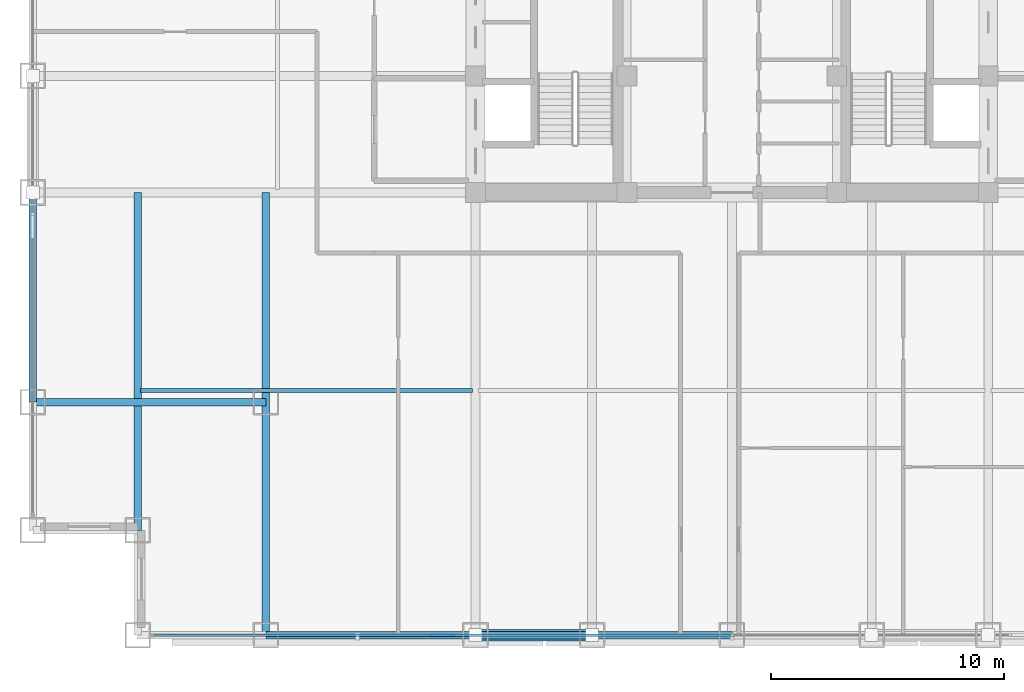
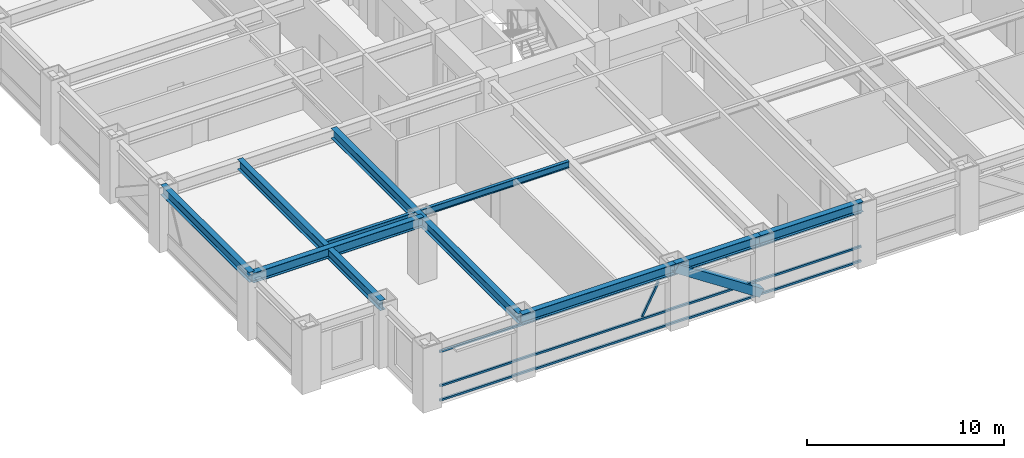
# One storey, part 3 of 28: 8 beams, 5 members, 1 element without a shape of its own.
"""IFC4 building model written with IfcOpenShell, lengths in metres."""

from ifc_helpers import new_model, si_unit, direction, frame, origin, origin_2d, place, context, subcontext, project, spatial, hollow_rectangle, i_section, extrude, source, transform, mapped, material, material_profile, profile_set, type_object, element, aggregate, save


model = new_model("IFC4")

# Units and contexts
model_context = context("Model", 3, precision=1e-05, world=origin(), true_north=direction((0.0, 1.0)))
body_context = subcontext(model_context, "Body", "Model", "MODEL_VIEW")
ifc_project = project(units=[si_unit("LENGTHUNIT", "METRE"), si_unit("AREAUNIT", "SQUARE_METRE"), si_unit("VOLUMEUNIT", "CUBIC_METRE"), si_unit("PLANEANGLEUNIT", "RADIAN"), si_unit("MASSUNIT", "GRAM", prefix="KILO")], contexts=[model_context])

# Site, building, storey
site_placement = place(None, origin())
site = spatial("IfcSite", under=ifc_project, at=site_placement, CompositionType="ELEMENT")
building_placement = place(site_placement, origin())
building = spatial("IfcBuilding", under=site, at=building_placement, Name="Khorayat Bourse Tower", CompositionType="ELEMENT")
storey_placement = place(building_placement, frame((0.0, 0.0, 183.10009765625)))
storey = spatial("IfcBuildingStorey", under=building, at=storey_placement, Name="L42", CompositionType="ELEMENT", Elevation=183.10009765625)

# Beams
ifc_material_1 = material(Name="Steel ASTM A992 Grade 50", Category="steel")
ifc_material_profile_1 = material_profile(ifc_material_1, i_section(OverallWidth=0.324951171875, OverallDepth=0.615966796875, WebThickness=0.013916015625, FlangeThickness=0.021484375, FilletRadius=0.01611328125, at=origin_2d()), Name="W610X174")
ifc_profile_set_1 = profile_set([ifc_material_profile_1], Name="Steel ASTM A992 Grade 50")
beam_type_1 = type_object("IfcBeamType", Name="BM-GIRD-610", PredefinedType="BEAM", material=ifc_profile_set_1)
shared_shape_1 = source(origin(), body_context, "Body", "SweptSolid", [
    extrude(i_section(OverallWidth=0.324951171875, OverallDepth=0.615966796875, WebThickness=0.013916015625, FlangeThickness=0.021484375, FilletRadius=0.01611328125, at=origin_2d()), origin(), (0.0, 0.0, 1.0), 19.0),
])
beam_1_placement = place(storey_placement, frame((-20.0, -30.0, 3.471923828125), z_axis=(0.0, 1.0, 0.0), x_axis=(-1.0, 0.0, 0.0)))
element("IfcBeam", 1, at=beam_1_placement, inside=storey, type_object=beam_type_1, Name="L42 BM-GIRD-610 BM-L42-CNRY-084", PredefinedType="BEAM", context=body_context, shape_type="MappedRepresentation", body=[
    mapped(shared_shape_1, transform((0.0, 0.0, 0.0), scale=1.0)),
])
shared_shape_2 = source(origin(), body_context, "Body", "SweptSolid", [
    extrude(i_section(OverallWidth=0.324951171875, OverallDepth=0.615966796875, WebThickness=0.013916015625, FlangeThickness=0.021484375, FilletRadius=0.01611328125, at=origin_2d()), origin(), (0.0, 0.0, 1.0), 14.5),
])
beam_2_placement = place(storey_placement, frame((-25.5, -25.5, 3.471923828125), z_axis=(0.0, 1.0, 0.0), x_axis=(-1.0, 0.0, 0.0)))
element("IfcBeam", 2, at=beam_2_placement, inside=storey, type_object=beam_type_1, Name="L42 BM-GIRD-610 BM-L42-CNRY-088", PredefinedType="BEAM", context=body_context, shape_type="MappedRepresentation", body=[
    mapped(shared_shape_2, transform((0.0, 0.0, 0.0), scale=1.0)),
])
shared_shape_3 = source(origin(), body_context, "Body", "SweptSolid", [
    extrude(i_section(OverallWidth=0.324951171875, OverallDepth=0.615966796875, WebThickness=0.013916015625, FlangeThickness=0.021484375, FilletRadius=0.01611328125, at=origin_2d()), origin(), (0.0, 0.0, 1.0), 10.0),
])
beam_3_placement = place(storey_placement, frame((-30.0, -20.0, 3.471923828125), z_axis=(1.0, 0.0, 0.0), x_axis=(0.0, 1.0, 0.0)))
element("IfcBeam", 3, at=beam_3_placement, inside=storey, type_object=beam_type_1, Name="L42 BM-GIRD-610 BM-L42-CNRX-093", PredefinedType="BEAM", context=body_context, shape_type="MappedRepresentation", body=[
    mapped(shared_shape_3, transform((0.0, 0.0, 0.0), scale=1.0)),
])
ifc_material_profile_2 = material_profile(ifc_material_1, i_section(OverallWidth=0.180908203125, OverallDepth=0.4169921875, WebThickness=0.010986328125, FlangeThickness=0.018310546875, FilletRadius=0.011962890625, at=origin_2d()), Name="W410X85")
ifc_profile_set_2 = profile_set([ifc_material_profile_2], Name="Steel ASTM A992 Grade 50")
beam_type_2 = type_object("IfcBeamType", Name="BM-JOIST-410", PredefinedType="JOIST", material=ifc_profile_set_2)
shared_shape_4 = source(origin(), body_context, "Body", "SweptSolid", [
    extrude(i_section(OverallWidth=0.180908203125, OverallDepth=0.4169921875, WebThickness=0.010986328125, FlangeThickness=0.018310546875, FilletRadius=0.011962890625, at=origin_2d()), origin(), (0.0, 0.0, 1.0), 14.240234375),
])
beam_4_placement = place(storey_placement, frame((-25.3701171875, -19.5, 3.5712890625), z_axis=(1.0, 0.0, 0.0), x_axis=(0.0, 1.0, 0.0)))
element("IfcBeam", 4, at=beam_4_placement, inside=storey, type_object=beam_type_2, Name="L42 BM-JOIST-410 BM-L42-JSTX-096", PredefinedType="JOIST", context=body_context, shape_type="MappedRepresentation", body=[
    mapped(shared_shape_4, transform((0.0, 0.0, 0.0), scale=1.0)),
])
ifc_material_profile_3 = material_profile(ifc_material_1, i_section(OverallWidth=0.324951171875, OverallDepth=0.615966796875, WebThickness=0.013916015625, FlangeThickness=0.021484375, FilletRadius=0.01611328125, at=origin_2d()), Name="W610X174")
ifc_profile_set_3 = profile_set([ifc_material_profile_3], Name="Steel ASTM A992 Grade 50")
beam_type_3 = type_object("IfcBeamType", Name="BM-SPAN-610", PredefinedType="SPANDREL", material=ifc_profile_set_3)
shared_shape_5 = source(origin(), body_context, "Body", "SweptSolid", [
    extrude(i_section(OverallWidth=0.324951171875, OverallDepth=0.615966796875, WebThickness=0.013916015625, FlangeThickness=0.021484375, FilletRadius=0.01611328125, at=origin_2d()), origin(), (0.0, 0.0, 1.0), 9.0),
])
for number, where, z_axis, x_axis, name in (
    (5, (-20.0, -30.0, 3.471923828125), (1.0, 0.0, 0.0), (0.0, 1.0, 0.0), "L42 BM-SPAN-610 BM-L42-SPN-025"),
    (6, (-30.0, -20.0, 3.471923828125), (0.0, 1.0, 0.0), (-1.0, 0.0, 0.0), "L42 BM-SPAN-610 BM-L42-SPN-060"),
):
    element("IfcBeam", number, at=place(storey_placement, frame(where, z_axis=z_axis, x_axis=x_axis)), inside=storey, type_object=beam_type_3, Name=name, PredefinedType="SPANDREL", context=body_context, shape_type="MappedRepresentation", body=[
        mapped(shared_shape_5, transform((0.0, 0.0, 0.0), scale=1.0)),
    ])
shared_shape_6 = source(origin(), body_context, "Body", "SweptSolid", [
    extrude(i_section(OverallWidth=0.324951171875, OverallDepth=0.615966796875, WebThickness=0.013916015625, FlangeThickness=0.021484375, FilletRadius=0.01611328125, at=origin_2d()), origin(), (0.0, 0.0, 1.0), 5.0),
])
beam_5_placement = place(storey_placement, frame((-11.0, -30.0, 3.471923828125), z_axis=(1.0, 0.0, 0.0), x_axis=(0.0, 1.0, 0.0)))
element("IfcBeam", 7, at=beam_5_placement, inside=storey, type_object=beam_type_3, Name="L42 BM-SPAN-610 BM-L42-SPN-026", PredefinedType="SPANDREL", context=body_context, shape_type="MappedRepresentation", body=[
    mapped(shared_shape_6, transform((0.0, 0.0, 0.0), scale=1.0)),
])
shared_shape_7 = source(origin(), body_context, "Body", "SweptSolid", [
    extrude(i_section(OverallWidth=0.324951171875, OverallDepth=0.615966796875, WebThickness=0.013916015625, FlangeThickness=0.021484375, FilletRadius=0.01611328125, at=origin_2d()), origin(), (0.0, 0.0, 1.0), 6.0),
])
beam_6_placement = place(storey_placement, frame((-6.0, -30.0, 3.471923828125), z_axis=(1.0, 0.0, 0.0), x_axis=(0.0, 1.0, 0.0)))
element("IfcBeam", 8, at=beam_6_placement, inside=storey, type_object=beam_type_3, Name="L42 BM-SPAN-610 BM-L42-SPN-027", PredefinedType="SPANDREL", context=body_context, shape_type="MappedRepresentation", body=[
    mapped(shared_shape_7, transform((0.0, 0.0, 0.0), scale=1.0)),
])

# Member
ifc_material_2 = material(Name="Steel EN 10025-4 S460M", Category="steel")
ifc_material_profile_4 = material_profile(ifc_material_2, hollow_rectangle(XDim=0.5, YDim=0.5, WallThickness=0.028076171875, at=origin_2d()), Name="HSS 500x500x28")
ifc_profile_set_4 = profile_set([ifc_material_profile_4], Name="Steel EN 10025-4 S460M")
member_type_1 = type_object("IfcMemberType", Name="MBR-TUBE-500", PredefinedType="BRACE", material=ifc_profile_set_4)
shared_shape_8 = source(origin(), body_context, "Body", "SweptSolid", [
    extrude(hollow_rectangle(XDim=0.5, YDim=0.5, WallThickness=0.028076171875, at=origin_2d()), origin(), (0.0, 0.0, 1.0), 5.979736328125),
])
member_1_placement = place(storey_placement, frame((-11.0, -30.0, 3.52978515625), z_axis=(0.836160261256, 0.0, -0.548485202623), x_axis=(0.0, 1.0, 0.0)))
element("IfcMember", 9, at=member_1_placement, inside=storey, type_object=member_type_1, Name="L42 Perimeter Tube Brace 01", PredefinedType="BRACE", context=body_context, shape_type="MappedRepresentation", body=[
    mapped(shared_shape_8, transform((0.0, 0.0, 0.0), scale=1.0)),
])

# Curtain wall, members
ifc_material_3 = material(Name="Aluminium EN AW-6063 T6", Category="aluminium")
curtain_wall_type = type_object("IfcCurtainWallType", Name="CW-SYS-03", PredefinedType="NOTDEFINED", material=ifc_material_3)
curtain_wall_placement = place(storey_placement, origin())
curtain_wall = element("IfcCurtainWall", 10, at=curtain_wall_placement, inside=storey, type_object=curtain_wall_type, Name="L42 Curtain Wall CW-L42-S1", PredefinedType="NOTDEFINED")
ifc_material_profile_5 = material_profile(ifc_material_3, hollow_rectangle(XDim=0.1201171875, YDim=0.1201171875, WallThickness=0.0048828125, at=origin_2d()), Name="ALU 120x120x5")
ifc_profile_set_5 = profile_set([ifc_material_profile_5], Name="Aluminium EN AW-6063 T6")
member_type_2 = type_object("IfcMemberType", Name="CWM-DIAG-120", PredefinedType="MULLION", material=ifc_profile_set_5)
shared_shape_9 = source(origin(), body_context, "Body", "SweptSolid", [
    extrude(hollow_rectangle(XDim=0.1201171875, YDim=0.1201171875, WallThickness=0.0048828125, at=origin_2d()), origin(), (0.0, 0.0, 1.0), 2.079345703125),
])
member_2_placement = place(storey_placement, frame((-12.904296875, -30.0, 1.08984375), z_axis=(0.465760949701, 0.0, 0.884910581773), x_axis=(0.0, 1.0, 0.0)))
member_2 = element("IfcMember", 11, at=member_2_placement, type_object=member_type_2, Name="CW-L42-S1 Faceted Diagonal Mullion 1", PredefinedType="MULLION", context=body_context, shape_type="MappedRepresentation", body=[
    mapped(shared_shape_9, transform((0.0, 0.0, 0.0), scale=1.0)),
])
ifc_material_profile_6 = material_profile(ifc_material_3, hollow_rectangle(XDim=0.1201171875, YDim=0.1201171875, WallThickness=0.0048828125, at=origin_2d()), Name="ALU 120x120x5")
ifc_profile_set_6 = profile_set([ifc_material_profile_6], Name="Aluminium EN AW-6063 T6")
member_type_3 = type_object("IfcMemberType", Name="CWT-HORZ-120", PredefinedType="USERDEFINED", material=ifc_profile_set_6)
shared_shape_10 = source(origin(), body_context, "Body", "SweptSolid", [
    extrude(hollow_rectangle(XDim=0.1201171875, YDim=0.1201171875, WallThickness=0.0048828125, at=origin_2d()), origin(), (0.0, 0.0, 1.0), 24.719970703125),
])
member_3_placement = place(storey_placement, frame((-24.780029296875, -30.0, 0.059814453125), z_axis=(1.0, 0.0, 0.0), x_axis=(0.0, 1.0, 0.0)))
member_3 = element("IfcMember", 12, at=member_3_placement, type_object=member_type_3, Name="CW-L42-S1 Horizontal Transom 1-1", ObjectType="TRANSOM", PredefinedType="USERDEFINED", context=body_context, shape_type="MappedRepresentation", body=[
    mapped(shared_shape_10, transform((0.0, 0.0, 0.0), scale=1.0)),
])
member_4_placement = place(storey_placement, frame((-24.780029296875, -30.0, 0.949951171875), z_axis=(1.0, 0.0, 0.0), x_axis=(0.0, 1.0, 0.0)))
member_4 = element("IfcMember", 13, at=member_4_placement, type_object=member_type_3, Name="CW-L42-S1 Horizontal Transom 1-2", ObjectType="TRANSOM", PredefinedType="USERDEFINED", context=body_context, shape_type="MappedRepresentation", body=[
    mapped(shared_shape_10, transform((0.0, 0.0, 0.0), scale=1.0)),
])
member_5_placement = place(storey_placement, frame((-24.780029296875, -30.0, 3.06982421875), z_axis=(1.0, 0.0, 0.0), x_axis=(0.0, 1.0, 0.0)))
member_5 = element("IfcMember", 14, at=member_5_placement, type_object=member_type_3, Name="CW-L42-S1 Horizontal Transom 1-3", ObjectType="TRANSOM", PredefinedType="USERDEFINED", context=body_context, shape_type="MappedRepresentation", body=[
    mapped(shared_shape_10, transform((0.0, 0.0, 0.0), scale=1.0)),
])
aggregate(curtain_wall, [member_3, member_4, member_5, member_2])

save(model, "model.ifc")
